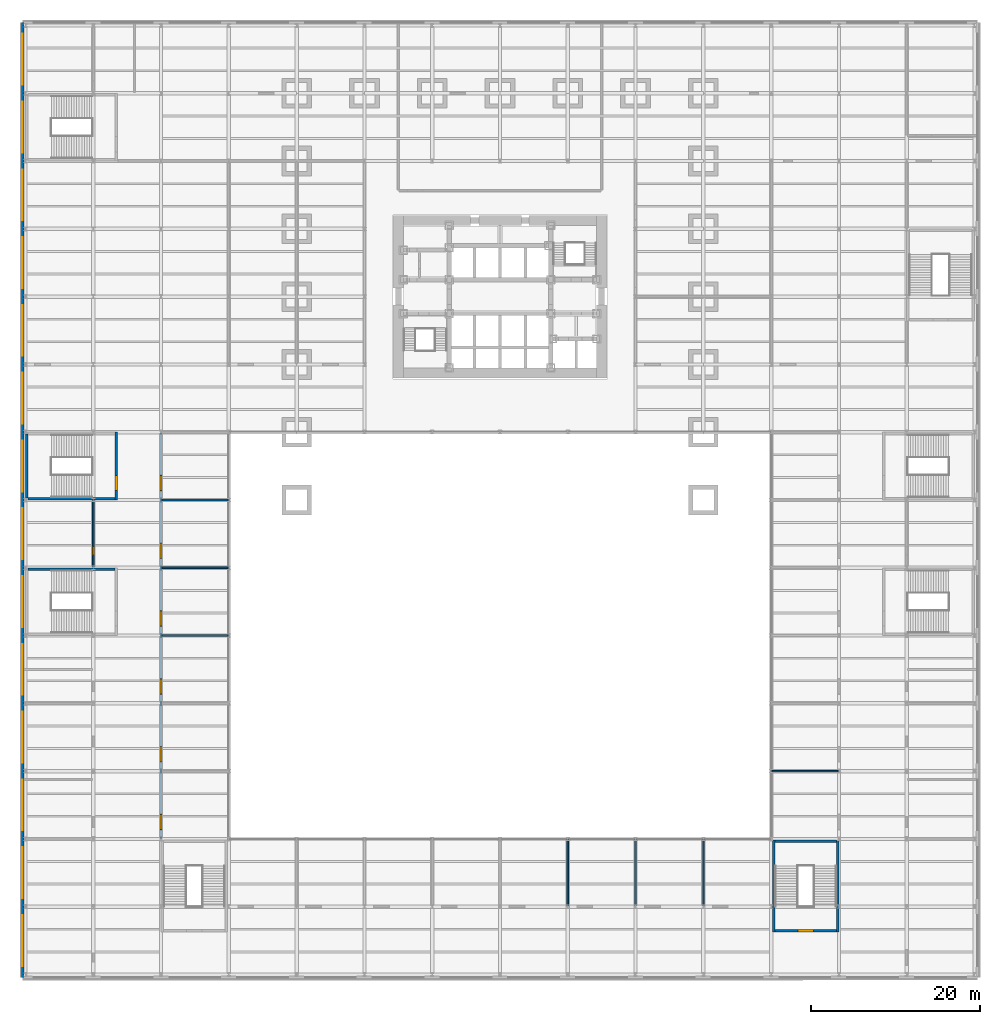
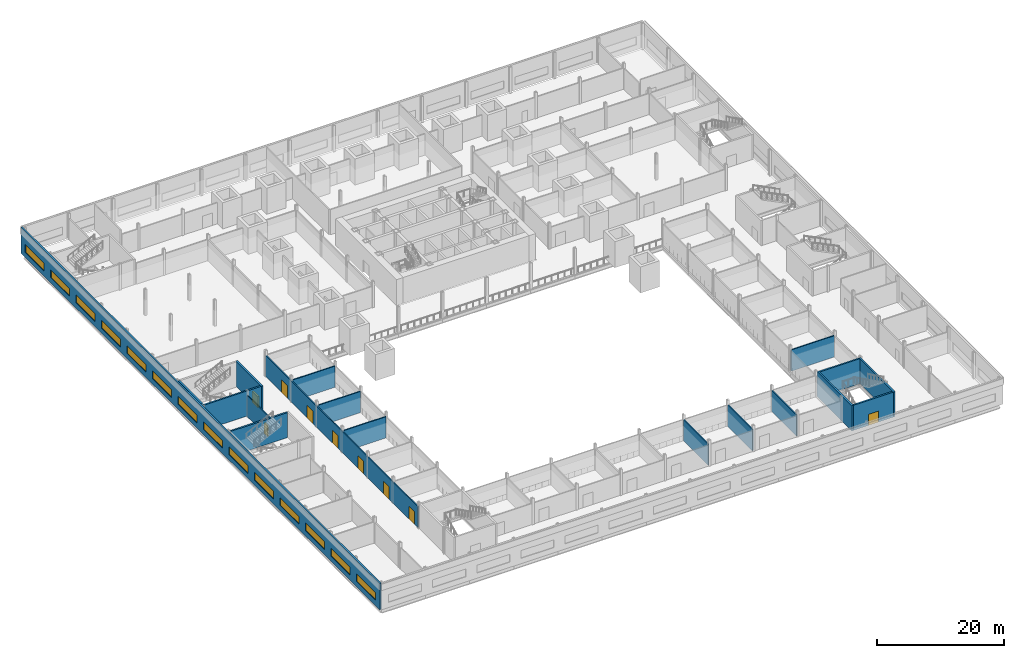
# One storey, part 11 of 22: 18 walls, 14 windows, 9 doors, 23 openings.
"""IFC4 building model written with IfcOpenShell, lengths in metres."""

from ifc_helpers import new_model, si_unit, direction, frame, frame_2d, origin, place, context, subcontext, project, spatial, rectangle, extrude, material, layer, layer_set, type_object, element, fill, save


model = new_model("IFC4")

# Units and contexts
model_context = context("Model", 3, precision=1e-05, world=origin(), true_north=direction((0.0, 1.0)))
body_context = subcontext(model_context, "Body", "Model", "MODEL_VIEW")
ifc_project = project(units=[si_unit("LENGTHUNIT", "METRE"), si_unit("AREAUNIT", "SQUARE_METRE"), si_unit("VOLUMEUNIT", "CUBIC_METRE"), si_unit("PLANEANGLEUNIT", "RADIAN"), si_unit("MASSUNIT", "GRAM", prefix="KILO")], contexts=[model_context])

# Site, building, storey
site_placement = place(None, origin())
site = spatial("IfcSite", under=ifc_project, at=site_placement, CompositionType="ELEMENT")
building_placement = place(site_placement, origin())
building = spatial("IfcBuilding", under=site, at=building_placement, Name="Daluyong Arena Tower", CompositionType="ELEMENT")
storey_placement = place(building_placement, frame((0.0, 0.0, 9.89990234375)))
storey = spatial("IfcBuildingStorey", under=building, at=storey_placement, Name="L02", CompositionType="ELEMENT", Elevation=9.89990234375)

# Walls
ifc_material_1 = material(Name="Concrete block partition", Category="concrete")
ifc_layer_1 = layer(ifc_material_1, 0.199951171875)
ifc_layer_set_1 = layer_set([ifc_layer_1], Name="Concrete block partition")
wall_type_1 = type_object("IfcWallType", Name="Partition 200", PredefinedType="PARTITIONING", material=ifc_layer_set_1)
for number, where, z_axis, x_axis, name in (
    (1, (88.10009765625, 24.0, 0.0), (0.0, 0.0, 1.0), (1.0, 0.0, 0.0), "partition at L02"),
    (2, (16.10009765625, 40.0, 0.0), (0.0, 0.0, 1.0), (1.0, 0.0, 0.0), "partition at L02"),
    (3, (16.10009765625, 48.0, 0.0), (0.0, 0.0, 1.0), (1.0, 0.0, 0.0), "partition at L02"),
    (4, (16.10009765625, 56.0, 0.0), (0.0, 0.0, 1.0), (1.0, 0.0, 0.0), "partition at L02"),
):
    element("IfcWall", number, at=place(storey_placement, frame(where, z_axis=z_axis, x_axis=x_axis)), inside=storey, type_object=wall_type_1, Name=name, PredefinedType="PARTITIONING", context=body_context, shape_type="SweptSolid", body=[
        extrude(rectangle(XDim=7.7998046875, YDim=0.199951171875, at=frame_2d((3.89990234375, 0.0))), origin(), (0.0, 0.0, 1.0), 4.071533203125),
    ])

# Wall, opening, door
wall_1_placement = place(storey_placement, frame((8.0, 48.10009765625, 0.0), z_axis=(0.0, 0.0, 1.0), x_axis=(0.0, 1.0, 0.0)))
wall_1 = element("IfcWall", 5, at=wall_1_placement, inside=storey, type_object=wall_type_1, Name="partition at L02", PredefinedType="PARTITIONING", context=body_context, shape_type="SweptSolid", body=[
    extrude(rectangle(XDim=7.7998046875, YDim=0.199951171875, at=frame_2d((3.89990234375, 0.0))), origin(), (0.0, 0.0, 1.0), 4.02783203125),
])
opening_1_placement = place(wall_1_placement, frame((1.39990234375, 0.0, 0.0)))
opening_1 = element("IfcOpeningElement", 6, at=opening_1_placement, cuts=wall_1, Name="Opening 02031", PredefinedType="OPENING", context=body_context, shape_type="SweptSolid", body=[
    extrude(rectangle(XDim=1.0, YDim=2.10009765625, at=frame_2d((0.5, 1.050048828125))), frame((0.0, 0.10986328125, 0.0), z_axis=(0.0, -1.0, 0.0), x_axis=(1.0, 0.0, 0.0)), (0.0, 0.0, 1.0), 0.219970703125),
])
ifc_material_2 = material(Name="Timber door", Category="wood")
door_type_1 = type_object("IfcDoorType", Name="Room door 1000", OperationType="SINGLE_SWING_LEFT", PredefinedType="DOOR", material=ifc_material_2)
door_1_placement = place(opening_1_placement, origin())
door_1 = element("IfcDoor", 7, at=door_1_placement, inside=storey, type_object=door_type_1, Name="food and beverage kiosk door 02031", OperationType="SINGLE_SWING_LEFT", OverallHeight=2.10009765625, OverallWidth=1.0, PredefinedType="DOOR", context=body_context, shape_type="SweptSolid", body=[
    extrude(rectangle(XDim=1.0, YDim=2.10009765625, at=frame_2d((0.5, 1.050048828125))), frame((0.0, 0.099609375, 0.0), z_axis=(0.0, -1.0, 0.0), x_axis=(1.0, 0.0, 0.0)), (0.0, 0.0, 1.0), 0.199462890625),
])
fill(opening_1, door_1)

# Wall, openings, doors
wall_2_placement = place(storey_placement, frame((16.0, 16.10009765625, 0.0), z_axis=(0.0, 0.0, 1.0), x_axis=(0.0, 1.0, 0.0)))
wall_2 = element("IfcWall", 8, at=wall_2_placement, inside=storey, type_object=wall_type_1, Name="partition at L02", PredefinedType="PARTITIONING", context=body_context, shape_type="SweptSolid", body=[
    extrude(rectangle(XDim=47.7998046875, YDim=0.199951171875, at=frame_2d((23.89990234375, 0.0))), origin(), (0.0, 0.0, 1.0), 4.02783203125),
])
opening_2_placement = place(wall_2_placement, frame((1.0, 0.0, 0.0)))
opening_2 = element("IfcOpeningElement", 9, at=opening_2_placement, cuts=wall_2, Name="Opening 02033", PredefinedType="OPENING", context=body_context, shape_type="SweptSolid", body=[
    extrude(rectangle(XDim=1.800048828125, YDim=2.39990234375, at=frame_2d((0.89990234375, 1.199951171875))), frame((0.0, 0.10986328125, 0.0), z_axis=(0.0, -1.0, 0.0), x_axis=(1.0, 0.0, 0.0)), (0.0, 0.0, 1.0), 0.219970703125),
])
opening_3_placement = place(wall_2_placement, frame((9.0, 0.0, 0.0)))
opening_3 = element("IfcOpeningElement", 10, at=opening_3_placement, cuts=wall_2, Name="Opening 02034", PredefinedType="OPENING", context=body_context, shape_type="SweptSolid", body=[
    extrude(rectangle(XDim=1.800048828125, YDim=2.39990234375, at=frame_2d((0.89990234375, 1.199951171875))), frame((0.0, 0.10986328125, 0.0), z_axis=(0.0, -1.0, 0.0), x_axis=(1.0, 0.0, 0.0)), (0.0, 0.0, 1.0), 0.219970703125),
])
opening_4_placement = place(wall_2_placement, frame((17.0, 0.0, 0.0)))
opening_4 = element("IfcOpeningElement", 11, at=opening_4_placement, cuts=wall_2, Name="Opening 02035", PredefinedType="OPENING", context=body_context, shape_type="SweptSolid", body=[
    extrude(rectangle(XDim=1.800048828125, YDim=2.39990234375, at=frame_2d((0.89990234375, 1.199951171875))), frame((0.0, 0.10986328125, 0.0), z_axis=(0.0, -1.0, 0.0), x_axis=(1.0, 0.0, 0.0)), (0.0, 0.0, 1.0), 0.219970703125),
])
opening_5_placement = place(wall_2_placement, frame((25.0, 0.0, 0.0)))
opening_5 = element("IfcOpeningElement", 12, at=opening_5_placement, cuts=wall_2, Name="Opening 02036", PredefinedType="OPENING", context=body_context, shape_type="SweptSolid", body=[
    extrude(rectangle(XDim=1.800048828125, YDim=2.39990234375, at=frame_2d((0.89990234375, 1.199951171875))), frame((0.0, 0.10986328125, 0.0), z_axis=(0.0, -1.0, 0.0), x_axis=(1.0, 0.0, 0.0)), (0.0, 0.0, 1.0), 0.219970703125),
])
opening_6_placement = place(wall_2_placement, frame((33.0, 0.0, 0.0)))
opening_6 = element("IfcOpeningElement", 13, at=opening_6_placement, cuts=wall_2, Name="Opening 02037", PredefinedType="OPENING", context=body_context, shape_type="SweptSolid", body=[
    extrude(rectangle(XDim=1.800048828125, YDim=2.39990234375, at=frame_2d((0.89990234375, 1.199951171875))), frame((0.0, 0.10986328125, 0.0), z_axis=(0.0, -1.0, 0.0), x_axis=(1.0, 0.0, 0.0)), (0.0, 0.0, 1.0), 0.219970703125),
])
opening_7_placement = place(wall_2_placement, frame((41.0, 0.0, 0.0)))
opening_7 = element("IfcOpeningElement", 14, at=opening_7_placement, cuts=wall_2, Name="Opening 02038", PredefinedType="OPENING", context=body_context, shape_type="SweptSolid", body=[
    extrude(rectangle(XDim=1.800048828125, YDim=2.39990234375, at=frame_2d((0.89990234375, 1.199951171875))), frame((0.0, 0.10986328125, 0.0), z_axis=(0.0, -1.0, 0.0), x_axis=(1.0, 0.0, 0.0)), (0.0, 0.0, 1.0), 0.219970703125),
])
ifc_material_3 = material(Name="Timber door", Category="wood")
door_type_2 = type_object("IfcDoorType", Name="Assembly double door 1800", OperationType="DOUBLE_DOOR_DOUBLE_SWING", PredefinedType="DOOR", material=ifc_material_3)
door_2_placement = place(opening_2_placement, origin())
door_2 = element("IfcDoor", 15, at=door_2_placement, inside=storey, type_object=door_type_2, Name="corporate suite door 02033", OperationType="DOUBLE_DOOR_DOUBLE_SWING", OverallHeight=2.39990234375, OverallWidth=1.800048828125, PredefinedType="DOOR", context=body_context, shape_type="SweptSolid", body=[
    extrude(rectangle(XDim=1.800048828125, YDim=2.39990234375, at=frame_2d((0.89990234375, 1.199951171875))), frame((0.0, 0.099609375, 0.0), z_axis=(0.0, -1.0, 0.0), x_axis=(1.0, 0.0, 0.0)), (0.0, 0.0, 1.0), 0.199462890625),
])
fill(opening_2, door_2)
door_3_placement = place(opening_3_placement, origin())
door_3 = element("IfcDoor", 16, at=door_3_placement, inside=storey, type_object=door_type_2, Name="corporate suite door 02034", OperationType="DOUBLE_DOOR_DOUBLE_SWING", OverallHeight=2.39990234375, OverallWidth=1.800048828125, PredefinedType="DOOR", context=body_context, shape_type="SweptSolid", body=[
    extrude(rectangle(XDim=1.800048828125, YDim=2.39990234375, at=frame_2d((0.89990234375, 1.199951171875))), frame((0.0, 0.099609375, 0.0), z_axis=(0.0, -1.0, 0.0), x_axis=(1.0, 0.0, 0.0)), (0.0, 0.0, 1.0), 0.199462890625),
])
fill(opening_3, door_3)
door_4_placement = place(opening_4_placement, origin())
door_4 = element("IfcDoor", 17, at=door_4_placement, inside=storey, type_object=door_type_2, Name="corporate suite door 02035", OperationType="DOUBLE_DOOR_DOUBLE_SWING", OverallHeight=2.39990234375, OverallWidth=1.800048828125, PredefinedType="DOOR", context=body_context, shape_type="SweptSolid", body=[
    extrude(rectangle(XDim=1.800048828125, YDim=2.39990234375, at=frame_2d((0.89990234375, 1.199951171875))), frame((0.0, 0.099609375, 0.0), z_axis=(0.0, -1.0, 0.0), x_axis=(1.0, 0.0, 0.0)), (0.0, 0.0, 1.0), 0.199462890625),
])
fill(opening_4, door_4)
door_5_placement = place(opening_5_placement, origin())
door_5 = element("IfcDoor", 18, at=door_5_placement, inside=storey, type_object=door_type_2, Name="corporate suite door 02036", OperationType="DOUBLE_DOOR_DOUBLE_SWING", OverallHeight=2.39990234375, OverallWidth=1.800048828125, PredefinedType="DOOR", context=body_context, shape_type="SweptSolid", body=[
    extrude(rectangle(XDim=1.800048828125, YDim=2.39990234375, at=frame_2d((0.89990234375, 1.199951171875))), frame((0.0, 0.099609375, 0.0), z_axis=(0.0, -1.0, 0.0), x_axis=(1.0, 0.0, 0.0)), (0.0, 0.0, 1.0), 0.199462890625),
])
fill(opening_5, door_5)
door_6_placement = place(opening_6_placement, origin())
door_6 = element("IfcDoor", 19, at=door_6_placement, inside=storey, type_object=door_type_2, Name="corporate suite door 02037", OperationType="DOUBLE_DOOR_DOUBLE_SWING", OverallHeight=2.39990234375, OverallWidth=1.800048828125, PredefinedType="DOOR", context=body_context, shape_type="SweptSolid", body=[
    extrude(rectangle(XDim=1.800048828125, YDim=2.39990234375, at=frame_2d((0.89990234375, 1.199951171875))), frame((0.0, 0.099609375, 0.0), z_axis=(0.0, -1.0, 0.0), x_axis=(1.0, 0.0, 0.0)), (0.0, 0.0, 1.0), 0.199462890625),
])
fill(opening_6, door_6)
door_7_placement = place(opening_7_placement, origin())
door_7 = element("IfcDoor", 20, at=door_7_placement, inside=storey, type_object=door_type_2, Name="corporate suite door 02038", OperationType="DOUBLE_DOOR_DOUBLE_SWING", OverallHeight=2.39990234375, OverallWidth=1.800048828125, PredefinedType="DOOR", context=body_context, shape_type="SweptSolid", body=[
    extrude(rectangle(XDim=1.800048828125, YDim=2.39990234375, at=frame_2d((0.89990234375, 1.199951171875))), frame((0.0, 0.099609375, 0.0), z_axis=(0.0, -1.0, 0.0), x_axis=(1.0, 0.0, 0.0)), (0.0, 0.0, 1.0), 0.199462890625),
])
fill(opening_7, door_7)

# Walls
for number, where, z_axis, x_axis, name in (
    (21, (64.0, 8.10009765625, 0.0), (0.0, 0.0, 1.0), (0.0, 1.0, 0.0), "partition at L02"),
    (22, (72.0, 8.10009765625, 0.0), (0.0, 0.0, 1.0), (0.0, 1.0, 0.0), "partition at L02"),
    (23, (80.0, 8.10009765625, 0.0), (0.0, 0.0, 1.0), (0.0, 1.0, 0.0), "partition at L02"),
):
    element("IfcWall", number, at=place(storey_placement, frame(where, z_axis=z_axis, x_axis=x_axis)), inside=storey, type_object=wall_type_1, Name=name, PredefinedType="PARTITIONING", context=body_context, shape_type="SweptSolid", body=[
        extrude(rectangle(XDim=7.7998046875, YDim=0.199951171875, at=frame_2d((3.89990234375, 0.0))), origin(), (0.0, 0.0, 1.0), 4.071533203125),
    ])

# Wall, openings, windows
ifc_material_4 = material(Name="Precast concrete fc' 45 MPa", Category="concrete")
ifc_layer_2 = layer(ifc_material_4, 0.300048828125)
ifc_layer_set_2 = layer_set([ifc_layer_2], Name="Precast concrete fc' 45 MPa")
wall_type_2 = type_object("IfcWallType", Name="Podium precast band wall 300", PredefinedType="SOLIDWALL", material=ifc_layer_set_2)
wall_3_placement = place(storey_placement, frame((-0.35009765625, 112.35009765625, 0.0), z_axis=(0.0, 0.0, 1.0), x_axis=(0.0, -1.0, 0.0)))
wall_3 = element("IfcWall", 24, at=wall_3_placement, inside=storey, type_object=wall_type_2, Name="podium wall W L02", PredefinedType="SOLIDWALL", context=body_context, shape_type="SweptSolid", body=[
    extrude(rectangle(XDim=112.7001953125, YDim=0.300048828125, at=frame_2d((56.35009765625, 0.0))), origin(), (0.0, 0.0, 1.0), 5.0),
])
opening_8_placement = place(wall_3_placement, frame((1.35009765625, 0.0, 1.0)))
opening_8 = element("IfcOpeningElement", 25, at=opening_8_placement, cuts=wall_3, Name="Opening W1", PredefinedType="OPENING", context=body_context, shape_type="SweptSolid", body=[
    extrude(rectangle(XDim=6.0, YDim=1.5, at=frame_2d((3.0, 0.75))), frame((0.0, 0.159912109375, 0.0), z_axis=(0.0, -1.0, 0.0), x_axis=(1.0, 0.0, 0.0)), (0.0, 0.0, 1.0), 0.320068359375),
])
opening_9_placement = place(wall_3_placement, frame((9.35009765625, 0.0, 1.0)))
opening_9 = element("IfcOpeningElement", 26, at=opening_9_placement, cuts=wall_3, Name="Opening W1", PredefinedType="OPENING", context=body_context, shape_type="SweptSolid", body=[
    extrude(rectangle(XDim=6.0, YDim=1.5, at=frame_2d((3.0, 0.75))), frame((0.0, 0.159912109375, 0.0), z_axis=(0.0, -1.0, 0.0), x_axis=(1.0, 0.0, 0.0)), (0.0, 0.0, 1.0), 0.320068359375),
])
opening_10_placement = place(wall_3_placement, frame((17.35009765625, 0.0, 1.0)))
opening_10 = element("IfcOpeningElement", 27, at=opening_10_placement, cuts=wall_3, Name="Opening W1", PredefinedType="OPENING", context=body_context, shape_type="SweptSolid", body=[
    extrude(rectangle(XDim=6.0, YDim=1.5, at=frame_2d((3.0, 0.75))), frame((0.0, 0.159912109375, 0.0), z_axis=(0.0, -1.0, 0.0), x_axis=(1.0, 0.0, 0.0)), (0.0, 0.0, 1.0), 0.320068359375),
])
opening_11_placement = place(wall_3_placement, frame((25.35009765625, 0.0, 1.0)))
opening_11 = element("IfcOpeningElement", 28, at=opening_11_placement, cuts=wall_3, Name="Opening W1", PredefinedType="OPENING", context=body_context, shape_type="SweptSolid", body=[
    extrude(rectangle(XDim=6.0, YDim=1.5, at=frame_2d((3.0, 0.75))), frame((0.0, 0.159912109375, 0.0), z_axis=(0.0, -1.0, 0.0), x_axis=(1.0, 0.0, 0.0)), (0.0, 0.0, 1.0), 0.320068359375),
])
opening_12_placement = place(wall_3_placement, frame((33.35009765625, 0.0, 1.0)))
opening_12 = element("IfcOpeningElement", 29, at=opening_12_placement, cuts=wall_3, Name="Opening W1", PredefinedType="OPENING", context=body_context, shape_type="SweptSolid", body=[
    extrude(rectangle(XDim=6.0, YDim=1.5, at=frame_2d((3.0, 0.75))), frame((0.0, 0.159912109375, 0.0), z_axis=(0.0, -1.0, 0.0), x_axis=(1.0, 0.0, 0.0)), (0.0, 0.0, 1.0), 0.320068359375),
])
opening_13_placement = place(wall_3_placement, frame((41.35009765625, 0.0, 1.0)))
opening_13 = element("IfcOpeningElement", 30, at=opening_13_placement, cuts=wall_3, Name="Opening W1", PredefinedType="OPENING", context=body_context, shape_type="SweptSolid", body=[
    extrude(rectangle(XDim=6.0, YDim=1.5, at=frame_2d((3.0, 0.75))), frame((0.0, 0.159912109375, 0.0), z_axis=(0.0, -1.0, 0.0), x_axis=(1.0, 0.0, 0.0)), (0.0, 0.0, 1.0), 0.320068359375),
])
opening_14_placement = place(wall_3_placement, frame((49.35009765625, 0.0, 1.0)))
opening_14 = element("IfcOpeningElement", 31, at=opening_14_placement, cuts=wall_3, Name="Opening W1", PredefinedType="OPENING", context=body_context, shape_type="SweptSolid", body=[
    extrude(rectangle(XDim=6.0, YDim=1.5, at=frame_2d((3.0, 0.75))), frame((0.0, 0.159912109375, 0.0), z_axis=(0.0, -1.0, 0.0), x_axis=(1.0, 0.0, 0.0)), (0.0, 0.0, 1.0), 0.320068359375),
])
opening_15_placement = place(wall_3_placement, frame((57.35009765625, 0.0, 1.0)))
opening_15 = element("IfcOpeningElement", 32, at=opening_15_placement, cuts=wall_3, Name="Opening W1", PredefinedType="OPENING", context=body_context, shape_type="SweptSolid", body=[
    extrude(rectangle(XDim=6.0, YDim=1.5, at=frame_2d((3.0, 0.75))), frame((0.0, 0.159912109375, 0.0), z_axis=(0.0, -1.0, 0.0), x_axis=(1.0, 0.0, 0.0)), (0.0, 0.0, 1.0), 0.320068359375),
])
opening_16_placement = place(wall_3_placement, frame((65.35009765625, 0.0, 1.0)))
opening_16 = element("IfcOpeningElement", 33, at=opening_16_placement, cuts=wall_3, Name="Opening W1", PredefinedType="OPENING", context=body_context, shape_type="SweptSolid", body=[
    extrude(rectangle(XDim=6.0, YDim=1.5, at=frame_2d((3.0, 0.75))), frame((0.0, 0.159912109375, 0.0), z_axis=(0.0, -1.0, 0.0), x_axis=(1.0, 0.0, 0.0)), (0.0, 0.0, 1.0), 0.320068359375),
])
opening_17_placement = place(wall_3_placement, frame((73.35009765625, 0.0, 1.0)))
opening_17 = element("IfcOpeningElement", 34, at=opening_17_placement, cuts=wall_3, Name="Opening W1", PredefinedType="OPENING", context=body_context, shape_type="SweptSolid", body=[
    extrude(rectangle(XDim=6.0, YDim=1.5, at=frame_2d((3.0, 0.75))), frame((0.0, 0.159912109375, 0.0), z_axis=(0.0, -1.0, 0.0), x_axis=(1.0, 0.0, 0.0)), (0.0, 0.0, 1.0), 0.320068359375),
])
opening_18_placement = place(wall_3_placement, frame((81.35009765625, 0.0, 1.0)))
opening_18 = element("IfcOpeningElement", 35, at=opening_18_placement, cuts=wall_3, Name="Opening W1", PredefinedType="OPENING", context=body_context, shape_type="SweptSolid", body=[
    extrude(rectangle(XDim=6.0, YDim=1.5, at=frame_2d((3.0, 0.75))), frame((0.0, 0.159912109375, 0.0), z_axis=(0.0, -1.0, 0.0), x_axis=(1.0, 0.0, 0.0)), (0.0, 0.0, 1.0), 0.320068359375),
])
opening_19_placement = place(wall_3_placement, frame((89.35009765625, 0.0, 1.0)))
opening_19 = element("IfcOpeningElement", 36, at=opening_19_placement, cuts=wall_3, Name="Opening W1", PredefinedType="OPENING", context=body_context, shape_type="SweptSolid", body=[
    extrude(rectangle(XDim=6.0, YDim=1.5, at=frame_2d((3.0, 0.75))), frame((0.0, 0.159912109375, 0.0), z_axis=(0.0, -1.0, 0.0), x_axis=(1.0, 0.0, 0.0)), (0.0, 0.0, 1.0), 0.320068359375),
])
opening_20_placement = place(wall_3_placement, frame((97.35009765625, 0.0, 1.0)))
opening_20 = element("IfcOpeningElement", 37, at=opening_20_placement, cuts=wall_3, Name="Opening W1", PredefinedType="OPENING", context=body_context, shape_type="SweptSolid", body=[
    extrude(rectangle(XDim=6.0, YDim=1.5, at=frame_2d((3.0, 0.75))), frame((0.0, 0.159912109375, 0.0), z_axis=(0.0, -1.0, 0.0), x_axis=(1.0, 0.0, 0.0)), (0.0, 0.0, 1.0), 0.320068359375),
])
opening_21_placement = place(wall_3_placement, frame((105.35009765625, 0.0, 1.0)))
opening_21 = element("IfcOpeningElement", 38, at=opening_21_placement, cuts=wall_3, Name="Opening W1", PredefinedType="OPENING", context=body_context, shape_type="SweptSolid", body=[
    extrude(rectangle(XDim=6.0, YDim=1.5, at=frame_2d((3.0, 0.75))), frame((0.0, 0.159912109375, 0.0), z_axis=(0.0, -1.0, 0.0), x_axis=(1.0, 0.0, 0.0)), (0.0, 0.0, 1.0), 0.320068359375),
])
ifc_material_5 = material(Name="Bronze aluminium window, tinted glass", Category="aluminium")
window_type = type_object("IfcWindowType", Name="Ribbon window 6000x1500", PartitioningType="TRIPLE_PANEL_HORIZONTAL", PredefinedType="WINDOW", material=ifc_material_5)
window_1_placement = place(opening_8_placement, origin())
window_1 = element("IfcWindow", 39, at=window_1_placement, inside=storey, type_object=window_type, Name="ribbon window W", OverallHeight=1.5, OverallWidth=6.0, PartitioningType="SINGLE_PANEL", PredefinedType="WINDOW", context=body_context, shape_type="SweptSolid", body=[
    extrude(rectangle(XDim=6.0, YDim=1.5, at=frame_2d((3.0, 0.75))), frame((0.0, 0.030029296875, 0.0), z_axis=(0.0, -1.0, 0.0), x_axis=(1.0, 0.0, 0.0)), (0.0, 0.0, 1.0), 0.06005859375),
])
fill(opening_8, window_1)
window_2_placement = place(opening_9_placement, origin())
window_2 = element("IfcWindow", 40, at=window_2_placement, inside=storey, type_object=window_type, Name="ribbon window W", OverallHeight=1.5, OverallWidth=6.0, PartitioningType="SINGLE_PANEL", PredefinedType="WINDOW", context=body_context, shape_type="SweptSolid", body=[
    extrude(rectangle(XDim=6.0, YDim=1.5, at=frame_2d((3.0, 0.75))), frame((0.0, 0.030029296875, 0.0), z_axis=(0.0, -1.0, 0.0), x_axis=(1.0, 0.0, 0.0)), (0.0, 0.0, 1.0), 0.06005859375),
])
fill(opening_9, window_2)
window_3_placement = place(opening_10_placement, origin())
window_3 = element("IfcWindow", 41, at=window_3_placement, inside=storey, type_object=window_type, Name="ribbon window W", OverallHeight=1.5, OverallWidth=6.0, PartitioningType="SINGLE_PANEL", PredefinedType="WINDOW", context=body_context, shape_type="SweptSolid", body=[
    extrude(rectangle(XDim=6.0, YDim=1.5, at=frame_2d((3.0, 0.75))), frame((0.0, 0.030029296875, 0.0), z_axis=(0.0, -1.0, 0.0), x_axis=(1.0, 0.0, 0.0)), (0.0, 0.0, 1.0), 0.06005859375),
])
fill(opening_10, window_3)
window_4_placement = place(opening_11_placement, origin())
window_4 = element("IfcWindow", 42, at=window_4_placement, inside=storey, type_object=window_type, Name="ribbon window W", OverallHeight=1.5, OverallWidth=6.0, PartitioningType="SINGLE_PANEL", PredefinedType="WINDOW", context=body_context, shape_type="SweptSolid", body=[
    extrude(rectangle(XDim=6.0, YDim=1.5, at=frame_2d((3.0, 0.75))), frame((0.0, 0.030029296875, 0.0), z_axis=(0.0, -1.0, 0.0), x_axis=(1.0, 0.0, 0.0)), (0.0, 0.0, 1.0), 0.06005859375),
])
fill(opening_11, window_4)
window_5_placement = place(opening_12_placement, origin())
window_5 = element("IfcWindow", 43, at=window_5_placement, inside=storey, type_object=window_type, Name="ribbon window W", OverallHeight=1.5, OverallWidth=6.0, PartitioningType="SINGLE_PANEL", PredefinedType="WINDOW", context=body_context, shape_type="SweptSolid", body=[
    extrude(rectangle(XDim=6.0, YDim=1.5, at=frame_2d((3.0, 0.75))), frame((0.0, 0.030029296875, 0.0), z_axis=(0.0, -1.0, 0.0), x_axis=(1.0, 0.0, 0.0)), (0.0, 0.0, 1.0), 0.06005859375),
])
fill(opening_12, window_5)
window_6_placement = place(opening_13_placement, origin())
window_6 = element("IfcWindow", 44, at=window_6_placement, inside=storey, type_object=window_type, Name="ribbon window W", OverallHeight=1.5, OverallWidth=6.0, PartitioningType="SINGLE_PANEL", PredefinedType="WINDOW", context=body_context, shape_type="SweptSolid", body=[
    extrude(rectangle(XDim=6.0, YDim=1.5, at=frame_2d((3.0, 0.75))), frame((0.0, 0.030029296875, 0.0), z_axis=(0.0, -1.0, 0.0), x_axis=(1.0, 0.0, 0.0)), (0.0, 0.0, 1.0), 0.06005859375),
])
fill(opening_13, window_6)
window_7_placement = place(opening_14_placement, origin())
window_7 = element("IfcWindow", 45, at=window_7_placement, inside=storey, type_object=window_type, Name="ribbon window W", OverallHeight=1.5, OverallWidth=6.0, PartitioningType="SINGLE_PANEL", PredefinedType="WINDOW", context=body_context, shape_type="SweptSolid", body=[
    extrude(rectangle(XDim=6.0, YDim=1.5, at=frame_2d((3.0, 0.75))), frame((0.0, 0.030029296875, 0.0), z_axis=(0.0, -1.0, 0.0), x_axis=(1.0, 0.0, 0.0)), (0.0, 0.0, 1.0), 0.06005859375),
])
fill(opening_14, window_7)
window_8_placement = place(opening_15_placement, origin())
window_8 = element("IfcWindow", 46, at=window_8_placement, inside=storey, type_object=window_type, Name="ribbon window W", OverallHeight=1.5, OverallWidth=6.0, PartitioningType="SINGLE_PANEL", PredefinedType="WINDOW", context=body_context, shape_type="SweptSolid", body=[
    extrude(rectangle(XDim=6.0, YDim=1.5, at=frame_2d((3.0, 0.75))), frame((0.0, 0.030029296875, 0.0), z_axis=(0.0, -1.0, 0.0), x_axis=(1.0, 0.0, 0.0)), (0.0, 0.0, 1.0), 0.06005859375),
])
fill(opening_15, window_8)
window_9_placement = place(opening_16_placement, origin())
window_9 = element("IfcWindow", 47, at=window_9_placement, inside=storey, type_object=window_type, Name="ribbon window W", OverallHeight=1.5, OverallWidth=6.0, PartitioningType="SINGLE_PANEL", PredefinedType="WINDOW", context=body_context, shape_type="SweptSolid", body=[
    extrude(rectangle(XDim=6.0, YDim=1.5, at=frame_2d((3.0, 0.75))), frame((0.0, 0.030029296875, 0.0), z_axis=(0.0, -1.0, 0.0), x_axis=(1.0, 0.0, 0.0)), (0.0, 0.0, 1.0), 0.06005859375),
])
fill(opening_16, window_9)
window_10_placement = place(opening_17_placement, origin())
window_10 = element("IfcWindow", 48, at=window_10_placement, inside=storey, type_object=window_type, Name="ribbon window W", OverallHeight=1.5, OverallWidth=6.0, PartitioningType="SINGLE_PANEL", PredefinedType="WINDOW", context=body_context, shape_type="SweptSolid", body=[
    extrude(rectangle(XDim=6.0, YDim=1.5, at=frame_2d((3.0, 0.75))), frame((0.0, 0.030029296875, 0.0), z_axis=(0.0, -1.0, 0.0), x_axis=(1.0, 0.0, 0.0)), (0.0, 0.0, 1.0), 0.06005859375),
])
fill(opening_17, window_10)
window_11_placement = place(opening_18_placement, origin())
window_11 = element("IfcWindow", 49, at=window_11_placement, inside=storey, type_object=window_type, Name="ribbon window W", OverallHeight=1.5, OverallWidth=6.0, PartitioningType="SINGLE_PANEL", PredefinedType="WINDOW", context=body_context, shape_type="SweptSolid", body=[
    extrude(rectangle(XDim=6.0, YDim=1.5, at=frame_2d((3.0, 0.75))), frame((0.0, 0.030029296875, 0.0), z_axis=(0.0, -1.0, 0.0), x_axis=(1.0, 0.0, 0.0)), (0.0, 0.0, 1.0), 0.06005859375),
])
fill(opening_18, window_11)
window_12_placement = place(opening_19_placement, origin())
window_12 = element("IfcWindow", 50, at=window_12_placement, inside=storey, type_object=window_type, Name="ribbon window W", OverallHeight=1.5, OverallWidth=6.0, PartitioningType="SINGLE_PANEL", PredefinedType="WINDOW", context=body_context, shape_type="SweptSolid", body=[
    extrude(rectangle(XDim=6.0, YDim=1.5, at=frame_2d((3.0, 0.75))), frame((0.0, 0.030029296875, 0.0), z_axis=(0.0, -1.0, 0.0), x_axis=(1.0, 0.0, 0.0)), (0.0, 0.0, 1.0), 0.06005859375),
])
fill(opening_19, window_12)
window_13_placement = place(opening_20_placement, origin())
window_13 = element("IfcWindow", 51, at=window_13_placement, inside=storey, type_object=window_type, Name="ribbon window W", OverallHeight=1.5, OverallWidth=6.0, PartitioningType="SINGLE_PANEL", PredefinedType="WINDOW", context=body_context, shape_type="SweptSolid", body=[
    extrude(rectangle(XDim=6.0, YDim=1.5, at=frame_2d((3.0, 0.75))), frame((0.0, 0.030029296875, 0.0), z_axis=(0.0, -1.0, 0.0), x_axis=(1.0, 0.0, 0.0)), (0.0, 0.0, 1.0), 0.06005859375),
])
fill(opening_20, window_13)
window_14_placement = place(opening_21_placement, origin())
window_14 = element("IfcWindow", 52, at=window_14_placement, inside=storey, type_object=window_type, Name="ribbon window W", OverallHeight=1.5, OverallWidth=6.0, PartitioningType="SINGLE_PANEL", PredefinedType="WINDOW", context=body_context, shape_type="SweptSolid", body=[
    extrude(rectangle(XDim=6.0, YDim=1.5, at=frame_2d((3.0, 0.75))), frame((0.0, 0.030029296875, 0.0), z_axis=(0.0, -1.0, 0.0), x_axis=(1.0, 0.0, 0.0)), (0.0, 0.0, 1.0), 0.06005859375),
])
fill(opening_21, window_14)

# Walls
ifc_material_6 = material(Name="Concrete fc' 35 MPa", Category="concrete")
ifc_layer_3 = layer(ifc_material_6, 0.300048828125)
ifc_layer_set_3 = layer_set([ifc_layer_3], Name="Concrete fc' 35 MPa")
wall_type_3 = type_object("IfcWallType", Name="Stair enclosure wall 300", PredefinedType="SOLIDWALL", material=ifc_layer_set_3)
wall_4_placement = place(storey_placement, frame((88.300048828125, 5.0, 0.0), z_axis=(0.0, 0.0, 1.0), x_axis=(0.0, 1.0, 0.0)))
element("IfcWall", 53, at=wall_4_placement, inside=storey, type_object=wall_type_3, Name="exit stair PS2 enclosure", PredefinedType="SOLIDWALL", context=body_context, shape_type="SweptSolid", body=[
    extrude(rectangle(XDim=10.85009765625, YDim=0.300048828125, at=frame_2d((5.425048828125, 0.0))), origin(), (0.0, 0.0, 1.0), 4.800048828125),
])
wall_5_placement = place(storey_placement, frame((95.85009765625, 5.0, 0.0), z_axis=(0.0, 0.0, 1.0), x_axis=(0.0, 1.0, 0.0)))
element("IfcWall", 54, at=wall_5_placement, inside=storey, type_object=wall_type_3, Name="exit stair PS2 enclosure", PredefinedType="SOLIDWALL", context=body_context, shape_type="SweptSolid", body=[
    extrude(rectangle(XDim=10.791748046875, YDim=0.300048828125, at=frame_2d((5.39599609375, 0.0))), origin(), (0.0, 0.0, 1.0), 4.800048828125),
])

# Wall, opening, door
wall_6_placement = place(storey_placement, frame((88.449951171875, 5.14990234375, 0.0), z_axis=(0.0, 0.0, 1.0), x_axis=(1.0, 0.0, 0.0)))
wall_6 = element("IfcWall", 55, at=wall_6_placement, inside=storey, type_object=wall_type_3, Name="exit stair PS2 enclosure", PredefinedType="SOLIDWALL", context=body_context, shape_type="SweptSolid", body=[
    extrude(rectangle(XDim=7.25, YDim=0.300048828125, at=frame_2d((3.625, 0.0))), origin(), (0.0, 0.0, 1.0), 4.800048828125),
])
opening_22_placement = place(wall_6_placement, frame((2.72509765625, 0.0, 0.0)))
opening_22 = element("IfcOpeningElement", 56, at=opening_22_placement, cuts=wall_6, Name="Opening 02016", PredefinedType="OPENING", context=body_context, shape_type="SweptSolid", body=[
    extrude(rectangle(XDim=1.800048828125, YDim=2.10009765625, at=frame_2d((0.89990234375, 1.050048828125))), frame((0.0, 0.159912109375, 0.0), z_axis=(0.0, -1.0, 0.0), x_axis=(1.0, 0.0, 0.0)), (0.0, 0.0, 1.0), 0.320068359375),
])
ifc_material_7 = material(Name="Steel door, fire rated", Category="steel")
door_type_3 = type_object("IfcDoorType", Name="Exit stair double door 1800", OperationType="DOUBLE_DOOR_SINGLE_SWING", PredefinedType="DOOR", material=ifc_material_7)
door_8_placement = place(opening_22_placement, origin())
door_8 = element("IfcDoor", 57, at=door_8_placement, inside=storey, type_object=door_type_3, Name="exit stair PS2 door 02016", OperationType="DOUBLE_DOOR_SINGLE_SWING", OverallHeight=2.10009765625, OverallWidth=1.800048828125, PredefinedType="DOOR", context=body_context, shape_type="SweptSolid", body=[
    extrude(rectangle(XDim=1.800048828125, YDim=2.10009765625, at=frame_2d((0.89990234375, 1.050048828125))), frame((0.0, 0.14990234375, 0.0), z_axis=(0.0, -1.0, 0.0), x_axis=(1.0, 0.0, 0.0)), (0.0, 0.0, 1.0), 0.299560546875),
])
fill(opening_22, door_8)

# Walls
wall_7_placement = place(storey_placement, frame((88.449951171875, 15.699951171875, 0.0), z_axis=(0.0, 0.0, 1.0), x_axis=(1.0, 0.0, 0.0)))
element("IfcWall", 58, at=wall_7_placement, inside=storey, type_object=wall_type_3, Name="exit stair PS2 enclosure", PredefinedType="SOLIDWALL", context=body_context, shape_type="SweptSolid", body=[
    extrude(rectangle(XDim=7.25, YDim=0.300048828125, at=frame_2d((3.625, 0.0))), origin(), (0.0, 0.0, 1.0), 4.800048828125),
])
wall_8_placement = place(storey_placement, frame((0.300048828125, 47.85009765625, 0.0), z_axis=(0.0, 0.0, 1.0), x_axis=(1.0, 0.0, 0.0)))
element("IfcWall", 59, at=wall_8_placement, inside=storey, type_object=wall_type_3, Name="exit stair PS3 enclosure", PredefinedType="SOLIDWALL", context=body_context, shape_type="SweptSolid", body=[
    extrude(rectangle(XDim=10.25, YDim=0.300048828125, at=frame_2d((5.125, 0.0))), origin(), (0.0, 0.0, 1.0), 4.800048828125),
])
wall_9_placement = place(storey_placement, frame((0.14990234375, 56.208251953125, 0.0), z_axis=(0.0, 0.0, 1.0), x_axis=(0.0, 1.0, 0.0)))
element("IfcWall", 60, at=wall_9_placement, inside=storey, type_object=wall_type_3, Name="exit stair PS7 enclosure", PredefinedType="SOLIDWALL", context=body_context, shape_type="SweptSolid", body=[
    extrude(rectangle(XDim=7.58349609375, YDim=0.300048828125, at=frame_2d((3.791748046875, 0.0))), origin(), (0.0, 0.0, 1.0), 4.800048828125),
])

# Wall, opening, door
wall_10_placement = place(storey_placement, frame((10.699951171875, 56.0, 0.0), z_axis=(0.0, 0.0, 1.0), x_axis=(0.0, 1.0, 0.0)))
wall_10 = element("IfcWall", 61, at=wall_10_placement, inside=storey, type_object=wall_type_3, Name="exit stair PS7 enclosure", PredefinedType="SOLIDWALL", context=body_context, shape_type="SweptSolid", body=[
    extrude(rectangle(XDim=8.0, YDim=0.300048828125, at=frame_2d((4.0, 0.0))), origin(), (0.0, 0.0, 1.0), 4.800048828125),
])
opening_23_placement = place(wall_10_placement, frame((1.10009765625, 0.0, 0.0)))
opening_23 = element("IfcOpeningElement", 62, at=opening_23_placement, cuts=wall_10, Name="Opening 02021", PredefinedType="OPENING", context=body_context, shape_type="SweptSolid", body=[
    extrude(rectangle(XDim=1.800048828125, YDim=2.10009765625, at=frame_2d((0.89990234375, 1.050048828125))), frame((0.0, 0.159912109375, 0.0), z_axis=(0.0, -1.0, 0.0), x_axis=(1.0, 0.0, 0.0)), (0.0, 0.0, 1.0), 0.320068359375),
])
door_9_placement = place(opening_23_placement, origin())
door_9 = element("IfcDoor", 63, at=door_9_placement, inside=storey, type_object=door_type_3, Name="exit stair PS7 door 02021", OperationType="DOUBLE_DOOR_SINGLE_SWING", OverallHeight=2.10009765625, OverallWidth=1.800048828125, PredefinedType="DOOR", context=body_context, shape_type="SweptSolid", body=[
    extrude(rectangle(XDim=1.800048828125, YDim=2.10009765625, at=frame_2d((0.89990234375, 1.050048828125))), frame((0.0, 0.14990234375, 0.0), z_axis=(0.0, -1.0, 0.0), x_axis=(1.0, 0.0, 0.0)), (0.0, 0.0, 1.0), 0.299560546875),
])
fill(opening_23, door_9)

# Wall
wall_11_placement = place(storey_placement, frame((0.300048828125, 56.14990234375, 0.0), z_axis=(0.0, 0.0, 1.0), x_axis=(1.0, 0.0, 0.0)))
element("IfcWall", 64, at=wall_11_placement, inside=storey, type_object=wall_type_3, Name="exit stair PS7 enclosure", PredefinedType="SOLIDWALL", context=body_context, shape_type="SweptSolid", body=[
    extrude(rectangle(XDim=10.25, YDim=0.300048828125, at=frame_2d((5.125, 0.0))), origin(), (0.0, 0.0, 1.0), 4.800048828125),
])

save(model, "model.ifc")
